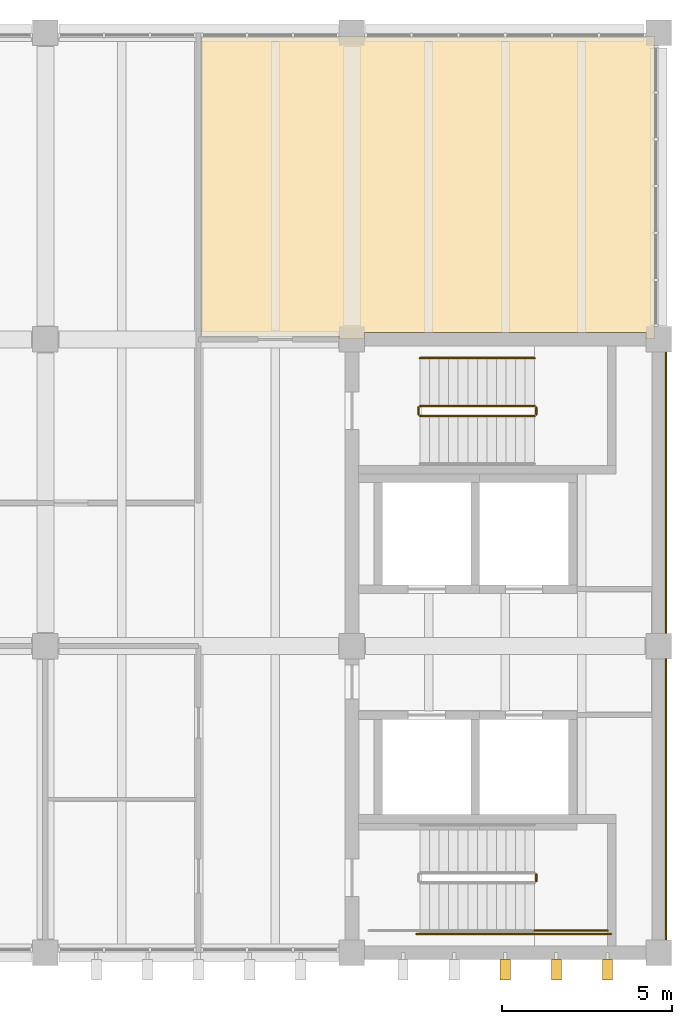
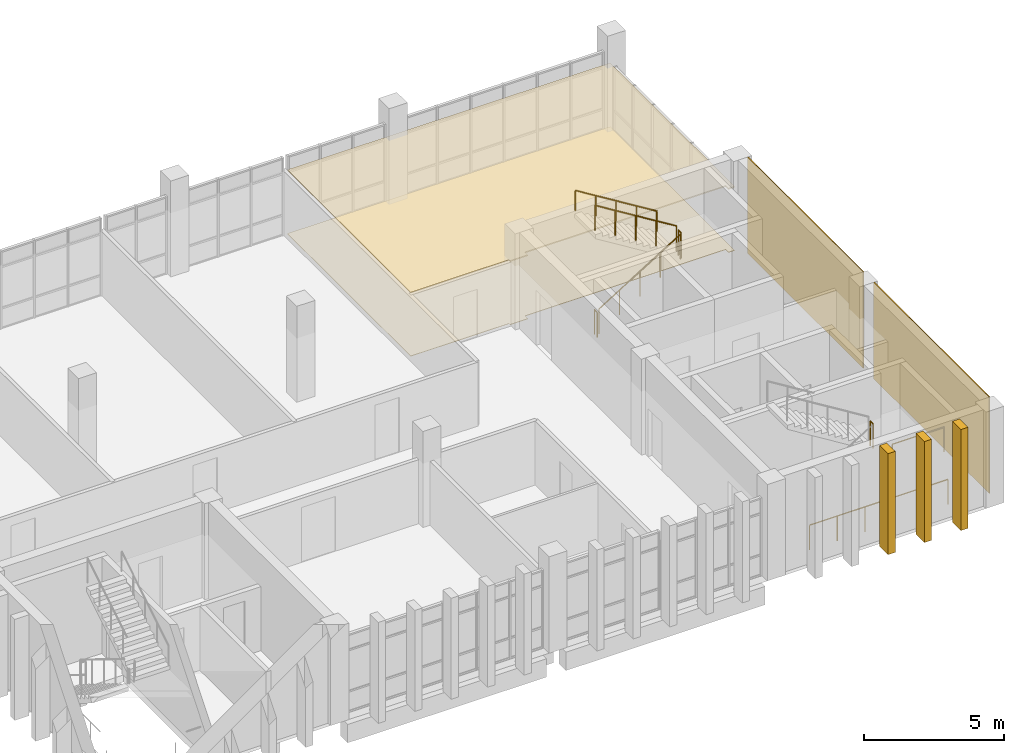
# One storey, part 14 of 14: 8 railings, 4 coverings, 3 shading devices.
"""IFC4 building model written with IfcOpenShell, lengths in metres."""

from ifc_helpers import new_model, si_unit, direction, frame, origin, origin_2d, place, context, subcontext, project, spatial, polyline, rectangle, circle, outline, extrude, source, transform, mapped, material, layer, layer_set, type_object, element, save


model = new_model("IFC4")

# Units and contexts
model_context = context("Model", 3, precision=1e-05, world=origin(), true_north=direction((0.0, 1.0)))
body_context = subcontext(model_context, "Body", "Model", "MODEL_VIEW")
ifc_project = project(units=[si_unit("LENGTHUNIT", "METRE"), si_unit("AREAUNIT", "SQUARE_METRE"), si_unit("VOLUMEUNIT", "CUBIC_METRE"), si_unit("PLANEANGLEUNIT", "RADIAN"), si_unit("MASSUNIT", "GRAM", prefix="KILO")], contexts=[model_context])

# Site, building, storey
site_placement = place(None, origin())
site = spatial("IfcSite", under=ifc_project, at=site_placement, CompositionType="ELEMENT")
building_placement = place(site_placement, origin())
building = spatial("IfcBuilding", under=site, at=building_placement, Name="Merrow Basin Faculty of Sciences", CompositionType="ELEMENT")
storey_placement = place(building_placement, frame((0.0, 0.0, 27.0)))
storey = spatial("IfcBuildingStorey", under=building, at=storey_placement, Name="L06", CompositionType="ELEMENT", Elevation=27.0)

# Covering
ifc_material_1 = material(Name="Carpet tile floor")
ifc_layer_1 = layer(ifc_material_1, 0.02001953125)
ifc_layer_set_1 = layer_set([ifc_layer_1], Name="Carpet tile floor")
covering_type_1 = type_object("IfcCoveringType", Name="Carpet tile floor", PredefinedType="FLOORING", material=ifc_layer_set_1)
covering_1_placement = place(storey_placement, origin())
element("IfcCovering", 1, at=covering_1_placement, inside=storey, type_object=covering_type_1, Name="Floor finish L06-T-018", PredefinedType="FLOORING", context=body_context, shape_type="SweptSolid", body=[
    extrude(outline(polyline([(53.889892578125, 168.889892578125), (53.889892578125, 160.010009765625), (53.635009765625, 160.010009765625), (53.635009765625, 160.2099609375), (45.364990234375, 160.2099609375), (45.364990234375, 160.010009765625), (44.635009765625, 160.010009765625), (44.635009765625, 160.0849609375), (40.5849609375, 160.0849609375), (40.5849609375, 168.889892578125), (53.889892578125, 168.889892578125)])), origin(), (0.0, 0.0, 1.0), 0.02001953125),
])

# Railings
ifc_material_2 = material(Name="Steel ASTM A36", Category="steel")
railing_type_1 = type_object("IfcRailingType", Name="Steel guard 1100", PredefinedType="GUARDRAIL", material=ifc_material_2)
railing_1_placement = place(storey_placement, frame((47.0, 157.75, 0.173095703125)))
element("IfcRailing", 2, at=railing_1_placement, inside=storey, type_object=railing_type_1, Name="L06 ST-V5-S stair guard 1", PredefinedType="GUARDRAIL", context=body_context, shape_type="SweptSolid", body=[
    extrude(circle(Radius=0.02392578125, at=origin_2d()), frame((0.0, 0.0, 1.076171875), z_axis=(0.850623216509, 0.0, 0.525775754039), x_axis=(0.0, 1.0, 0.0)), (0.0, 0.0, 1.0), 3.9501953125),
    extrude(circle(Radius=0.02099609375, at=origin_2d()), origin(), (0.0, 0.0, 1.0), 1.052001953125),
    extrude(circle(Radius=0.02099609375, at=origin_2d()), frame((0.840087890625, 0.0, 0.519287109375)), (0.0, 0.0, 1.0), 1.052001953125),
    extrude(circle(Radius=0.02099609375, at=origin_2d()), frame((1.68017578125, 0.0, 1.03857421875)), (0.0, 0.0, 1.0), 1.052001953125),
    extrude(circle(Radius=0.02099609375, at=origin_2d()), frame((2.52001953125, 0.0, 1.5576171875)), (0.0, 0.0, 1.0), 1.052001953125),
    extrude(circle(Radius=0.02099609375, at=origin_2d()), frame((3.360107421875, 0.0, 2.076904296875)), (0.0, 0.0, 1.0), 1.052001953125),
])
railing_2_placement = place(storey_placement, frame((50.409912109375, 157.800048828125, 2.25)))
element("IfcRailing", 3, at=railing_2_placement, inside=storey, type_object=railing_type_1, Name="L06 ST-V5-S stair guard 2", PredefinedType="GUARDRAIL", context=body_context, shape_type="SweptSolid", body=[
    extrude(circle(Radius=0.02392578125, at=origin_2d()), frame((0.0, 0.0, 1.076171875), z_axis=(0.0, 1.0, 0.0), x_axis=(-1.0, 0.0, 0.0)), (0.0, 0.0, 1.0), 0.199951171875),
    extrude(circle(Radius=0.02099609375, at=origin_2d()), origin(), (0.0, 0.0, 1.0), 1.052001953125),
    extrude(circle(Radius=0.02099609375, at=origin_2d()), frame((0.0, 0.199951171875, 0.0)), (0.0, 0.0, 1.0), 1.052001953125),
])
railing_3_placement = place(storey_placement, frame((50.360107421875, 158.050048828125, 2.423095703125)))
element("IfcRailing", 4, at=railing_3_placement, inside=storey, type_object=railing_type_1, Name="L06 ST-V5-S stair guard 3", PredefinedType="GUARDRAIL", context=body_context, shape_type="SweptSolid", body=[
    extrude(circle(Radius=0.02392578125, at=origin_2d()), frame((0.0, 0.0, 1.076171875), z_axis=(-0.850623216509, 0.0, 0.525775754039), x_axis=(0.0, -1.0, 0.0)), (0.0, 0.0, 1.0), 3.9501953125),
    extrude(circle(Radius=0.02099609375, at=origin_2d()), origin(), (0.0, 0.0, 1.0), 1.052001953125),
    extrude(circle(Radius=0.02099609375, at=origin_2d()), frame((-0.840087890625, 0.0, 0.519287109375)), (0.0, 0.0, 1.0), 1.052001953125),
    extrude(circle(Radius=0.02099609375, at=origin_2d()), frame((-1.68017578125, 0.0, 1.03857421875)), (0.0, 0.0, 1.0), 1.052001953125),
    extrude(circle(Radius=0.02099609375, at=origin_2d()), frame((-2.52001953125, 0.0, 1.5576171875)), (0.0, 0.0, 1.0), 1.052001953125),
    extrude(circle(Radius=0.02099609375, at=origin_2d()), frame((-3.360107421875, 0.0, 2.076904296875)), (0.0, 0.0, 1.0), 1.052001953125),
])
for number, where, name in (
    (5, (46.949951171875, 157.800048828125, 0.0), "L06 ST-V5-S stair guard 4"),
    (6, (50.409912109375, 144.10009765625, 2.25), "L06 ST-V5-N stair guard 2"),
):
    element("IfcRailing", number, at=place(storey_placement, frame(where)), inside=storey, type_object=railing_type_1, Name=name, PredefinedType="GUARDRAIL", context=body_context, shape_type="SweptSolid", body=[
        extrude(circle(Radius=0.02392578125, at=origin_2d()), frame((0.0, 0.0, 1.076171875), z_axis=(0.0, 1.0, 0.0), x_axis=(-1.0, 0.0, 0.0)), (0.0, 0.0, 1.0), 0.199951171875),
        extrude(circle(Radius=0.02099609375, at=origin_2d()), origin(), (0.0, 0.0, 1.0), 1.052001953125),
        extrude(circle(Radius=0.02099609375, at=origin_2d()), frame((0.0, 0.199951171875, 0.0)), (0.0, 0.0, 1.0), 1.052001953125),
    ])
railing_4_placement = place(storey_placement, frame((50.360107421875, 142.64990234375, 2.25)))
element("IfcRailing", 7, at=railing_4_placement, inside=storey, type_object=railing_type_1, Name="L06 ST-V5-N stair guard 3", PredefinedType="GUARDRAIL", context=body_context, shape_type="SweptSolid", body=[
    extrude(circle(Radius=0.02392578125, at=origin_2d()), frame((0.0, 0.0, 1.076171875), z_axis=(1.0, 0.0, 0.0), x_axis=(0.0, 1.0, 0.0)), (0.0, 0.0, 1.0), 2.139892578125),
    extrude(circle(Radius=0.02099609375, at=origin_2d()), origin(), (0.0, 0.0, 1.0), 1.052001953125),
    extrude(circle(Radius=0.02099609375, at=origin_2d()), frame((1.06982421875, 0.0, 0.0)), (0.0, 0.0, 1.0), 1.052001953125),
    extrude(circle(Radius=0.02099609375, at=origin_2d()), frame((2.139892578125, 0.0, 0.0)), (0.0, 0.0, 1.0), 1.052001953125),
])
railing_5_placement = place(storey_placement, frame((46.89990234375, 142.550048828125, 0.0)))
element("IfcRailing", 8, at=railing_5_placement, inside=storey, type_object=railing_type_1, Name="L06 ST-V5-N stair guard 7", PredefinedType="GUARDRAIL", context=body_context, shape_type="SweptSolid", body=[
    extrude(circle(Radius=0.02392578125, at=origin_2d()), frame((0.0, 0.0, 1.076171875), z_axis=(1.0, 0.0, 0.0), x_axis=(0.0, 1.0, 0.0)), (0.0, 0.0, 1.0), 5.7001953125),
    extrude(circle(Radius=0.02099609375, at=origin_2d()), origin(), (0.0, 0.0, 1.0), 1.052001953125),
    extrude(circle(Radius=0.02099609375, at=origin_2d()), frame((1.14013671875, 0.0, 0.0)), (0.0, 0.0, 1.0), 1.052001953125),
    extrude(circle(Radius=0.02099609375, at=origin_2d()), frame((2.280029296875, 0.0, 0.0)), (0.0, 0.0, 1.0), 1.052001953125),
    extrude(circle(Radius=0.02099609375, at=origin_2d()), frame((3.420166015625, 0.0, 0.0)), (0.0, 0.0, 1.0), 1.052001953125),
    extrude(circle(Radius=0.02099609375, at=origin_2d()), frame((4.56005859375, 0.0, 0.0)), (0.0, 0.0, 1.0), 1.052001953125),
    extrude(circle(Radius=0.02099609375, at=origin_2d()), frame((5.7001953125, 0.0, 0.0)), (0.0, 0.0, 1.0), 1.052001953125),
])
ifc_material_3 = material(Name="Steel ASTM A36", Category="steel")
railing_type_2 = type_object("IfcRailingType", Name="Steel handrail 900", PredefinedType="HANDRAIL", material=ifc_material_3)
railing_6_placement = place(storey_placement, frame((50.360107421875, 159.449951171875, 2.423095703125)))
element("IfcRailing", 9, at=railing_6_placement, inside=storey, type_object=railing_type_2, Name="L06 ST-V5-S stair handrail 2", PredefinedType="HANDRAIL", context=body_context, shape_type="SweptSolid", body=[
    extrude(circle(Radius=0.02392578125, at=origin_2d()), frame((0.0, 0.0, 0.8759765625), z_axis=(-0.850623216509, 0.0, 0.525775754039), x_axis=(0.0, -1.0, 0.0)), (0.0, 0.0, 1.0), 3.9501953125),
    extrude(circle(Radius=0.02099609375, at=origin_2d()), origin(), (0.0, 0.0, 1.0), 0.851806640625),
    extrude(circle(Radius=0.02099609375, at=origin_2d()), frame((-0.840087890625, 0.0, 0.519287109375)), (0.0, 0.0, 1.0), 0.851806640625),
    extrude(circle(Radius=0.02099609375, at=origin_2d()), frame((-1.68017578125, 0.0, 1.03857421875)), (0.0, 0.0, 1.0), 0.851806640625),
    extrude(circle(Radius=0.02099609375, at=origin_2d()), frame((-2.52001953125, 0.0, 1.5576171875)), (0.0, 0.0, 1.0), 0.851806640625),
    extrude(circle(Radius=0.02099609375, at=origin_2d()), frame((-3.360107421875, 0.0, 2.076904296875)), (0.0, 0.0, 1.0), 0.851806640625),
])

# Coverings
ifc_material_4 = material(Name="Mineral fibre ceiling tile")
ifc_layer_2 = layer(ifc_material_4, 0.050048828125)
ifc_layer_set_2 = layer_set([ifc_layer_2], Name="Suspended acoustic ceiling tile")
covering_type_2 = type_object("IfcCoveringType", Name="Suspended acoustic ceiling tile", PredefinedType="CEILING", material=ifc_layer_set_2)
covering_2_placement = place(storey_placement, frame((0.0, 0.0, 2.75)))
element("IfcCovering", 10, at=covering_2_placement, inside=storey, type_object=covering_type_2, Name="Ceiling L06-T-018", PredefinedType="CEILING", context=body_context, shape_type="SweptSolid", body=[
    extrude(outline(polyline([(53.889892578125, 168.889892578125), (53.889892578125, 160.010009765625), (53.635009765625, 160.010009765625), (53.635009765625, 160.2099609375), (45.364990234375, 160.2099609375), (45.364990234375, 160.010009765625), (44.635009765625, 160.010009765625), (44.635009765625, 160.0849609375), (40.5849609375, 160.0849609375), (40.5849609375, 168.889892578125), (53.889892578125, 168.889892578125)])), origin(), (0.0, 0.0, 1.0), 0.050048828125),
])
ifc_material_5 = material(Name="White powder-coated aluminium", Category="aluminium")
ifc_layer_3 = layer(ifc_material_5, 0.0400390625)
ifc_layer_set_3 = layer_set([ifc_layer_3], Name="White precast cladding 40")
covering_type_3 = type_object("IfcCoveringType", Name="White precast cladding 40", PredefinedType="CLADDING", material=ifc_layer_set_3)
for number, where, z_axis, x_axis, name in (
    (11, (54.219970703125, 146.5, 0.0), (0.0, 0.0, 1.0), (1.0, 0.0, 0.0), "White core cladding"),
    (12, (54.219970703125, 155.5, 0.0), (0.0, 0.0, 1.0), (1.0, 0.0, 0.0), "White core cladding"),
):
    element("IfcCovering", number, at=place(storey_placement, frame(where, z_axis=z_axis, x_axis=x_axis)), inside=storey, type_object=covering_type_3, Name=name, PredefinedType="CLADDING", context=body_context, shape_type="SweptSolid", body=[
        extrude(rectangle(XDim=0.0400390625, YDim=8.25, at=origin_2d()), origin(), (0.0, 0.0, 1.0), 4.199951171875),
    ])

# Shading devices
ifc_material_6 = material(Name="White precast concrete C50/60", Category="concrete")
shading_device_type = type_object("IfcShadingDeviceType", Name="White precast fin 300 x 600", PredefinedType="USERDEFINED", material=ifc_material_6)
shared_shape = source(origin(), body_context, "Body", "SweptSolid", [
    extrude(outline(polyline([(0.0, 0.0), (0.300048828125, 0.0), (0.300048828125, 4.39990234375), (0.0, 4.39990234375), (0.0, 0.0)])), origin(), (0.0, 0.0, 1.0), 0.60009765625),
])
for number, where, z_axis, x_axis, name in (
    (13, (49.35009765625, 141.800048828125, -0.25), (0.0, -1.0, 0.0), (1.0, 0.0, 0.0), "Brise-soleil fin SL06"),
    (14, (50.85009765625, 141.800048828125, -0.25), (0.0, -1.0, 0.0), (1.0, 0.0, 0.0), "Brise-soleil fin SL06"),
    (15, (52.35009765625, 141.800048828125, -0.25), (0.0, -1.0, 0.0), (1.0, 0.0, 0.0), "Brise-soleil fin SL06"),
):
    element("IfcShadingDevice", number, at=place(storey_placement, frame(where, z_axis=z_axis, x_axis=x_axis)), inside=storey, type_object=shading_device_type, Name=name, ObjectType="FIN", PredefinedType="USERDEFINED", context=body_context, shape_type="MappedRepresentation", body=[
        mapped(shared_shape, transform((0.0, 0.0, 0.0), scale=1.0)),
    ])

save(model, "model.ifc")
